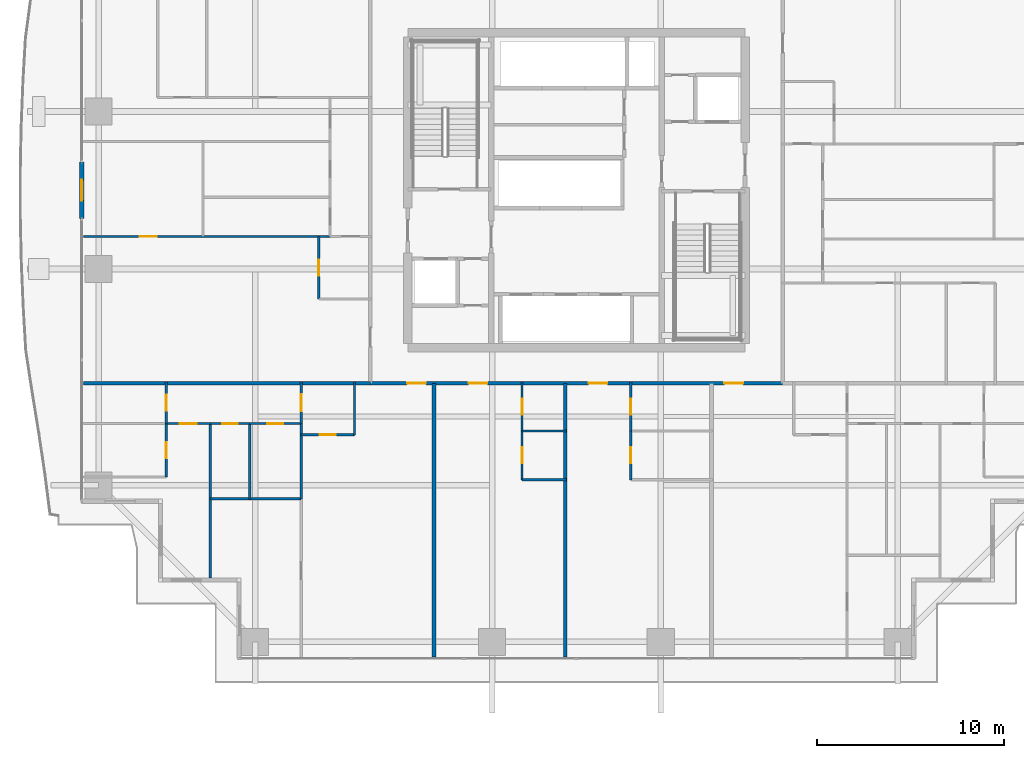
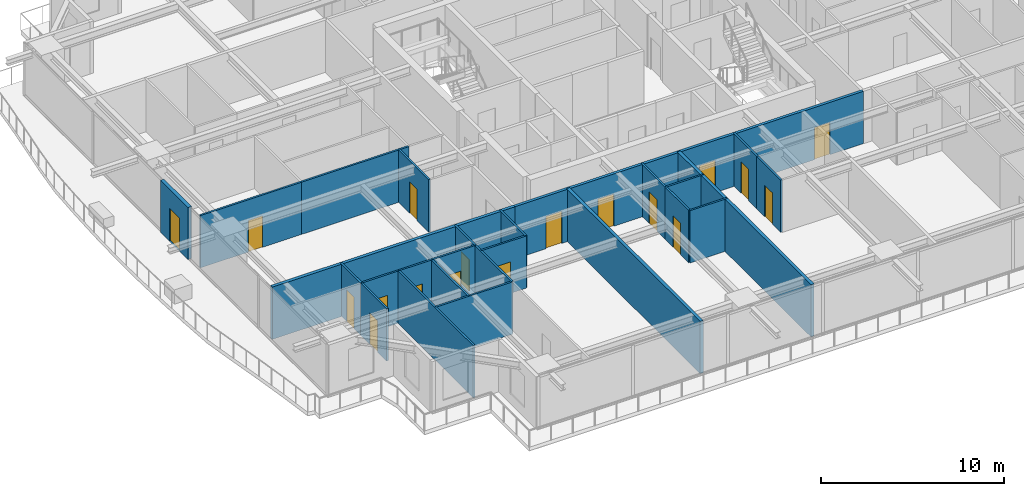
# One storey, part 23 of 35: 26 walls, 18 doors, 18 openings.
"""IFC4 building model written with IfcOpenShell, lengths in metres."""

from ifc_helpers import new_model, si_unit, direction, frame, frame_2d, origin, place, context, subcontext, project, spatial, rectangle, extrude, source, transform, mapped, material, layer, layer_set, type_object, element, fill, save


model = new_model("IFC4")

# Units and contexts
model_context = context("Model", 3, precision=1e-05, world=origin(), true_north=direction((0.0, 1.0)))
body_context = subcontext(model_context, "Body", "Model", "MODEL_VIEW")
ifc_project = project(units=[si_unit("LENGTHUNIT", "METRE"), si_unit("AREAUNIT", "SQUARE_METRE"), si_unit("VOLUMEUNIT", "CUBIC_METRE"), si_unit("PLANEANGLEUNIT", "RADIAN"), si_unit("MASSUNIT", "GRAM", prefix="KILO")], contexts=[model_context])

# Site, building, storey
site_placement = place(None, origin())
site = spatial("IfcSite", under=ifc_project, at=site_placement, CompositionType="ELEMENT")
building_placement = place(site_placement, origin())
building = spatial("IfcBuilding", under=site, at=building_placement, Name="Serunith Strait Residences", CompositionType="ELEMENT")
storey_placement = place(building_placement, frame((0.0, 0.0, 56.699951171875)))
storey = spatial("IfcBuildingStorey", under=building, at=storey_placement, Name="L13", CompositionType="ELEMENT", Elevation=56.699951171875)

# Wall, opening, door
ifc_material_1 = material(Name="Pale-Champagne Aluminium Insulated Panel", Category="aluminium")
ifc_layer_1 = layer(ifc_material_1, 0.219970703125, Name="Pale-Champagne Aluminium Insulated Panel")
ifc_layer_set_1 = layer_set([ifc_layer_1], Name="Pale-Champagne Aluminium Insulated Panel")
wall_type_1 = type_object("IfcWallType", Name="EW-ALUM-220", PredefinedType="ELEMENTEDWALL", material=ifc_layer_set_1)
wall_1_placement = place(storey_placement, frame((6.0, 26.699951171875, 0.0), z_axis=(0.0, 0.0, 1.0), x_axis=(0.0, -1.0, 0.0)))
wall_1 = element("IfcWall", 1, at=wall_1_placement, inside=storey, type_object=wall_type_1, Name="L13 W Facade Pier Wall", PredefinedType="ELEMENTEDWALL", context=body_context, shape_type="SweptSolid", body=[
    extrude(rectangle(XDim=3.0, YDim=0.219970703125, at=frame_2d((1.5, 0.0))), origin(), (0.0, 0.0, 1.0), 3.47509765625),
])
opening_1_placement = place(wall_1_placement, frame((0.949951171875, 0.0, 0.0)))
opening_1 = element("IfcOpeningElement", 2, at=opening_1_placement, cuts=wall_1, Name="Opening ED-03", PredefinedType="OPENING", context=body_context, shape_type="SweptSolid", body=[
    extrude(rectangle(XDim=1.10009765625, YDim=2.199951171875, at=frame_2d((0.550048828125, 1.10009765625))), frame((0.0, 0.1201171875, 0.0), z_axis=(0.0, -1.0, 0.0), x_axis=(1.0, 0.0, 0.0)), (0.0, 0.0, 1.0), 0.239990234375),
])
ifc_material_2 = material(Name="Thermally-Broken Aluminium Glazed Balcony Door", Category="aluminium")
door_type_1 = type_object("IfcDoorType", Name="ED-BALC-1100", OperationType="NOTDEFINED", PredefinedType="DOOR", material=ifc_material_2)
shared_shape_1 = source(origin(), body_context, "Body", "SweptSolid", [
    extrude(rectangle(XDim=1.10009765625, YDim=2.199951171875, at=frame_2d((0.550048828125, 1.10009765625))), frame((0.0, 0.02490234375, 0.0), z_axis=(0.0, -1.0, 0.0), x_axis=(1.0, 0.0, 0.0)), (0.0, 0.0, 1.0), 0.050048828125),
])
door_1_placement = place(opening_1_placement, origin())
door_1 = element("IfcDoor", 3, at=door_1_placement, inside=storey, type_object=door_type_1, Name="L13 W Vertical-Forest Balcony Door", OperationType="SINGLE_SWING_LEFT", OverallHeight=2.199951171875, OverallWidth=1.10009765625, PredefinedType="DOOR", context=body_context, shape_type="MappedRepresentation", body=[
    mapped(shared_shape_1, transform((0.0, 0.0, 0.0), scale=1.0)),
])
fill(opening_1, door_1)

# Wall, openings, doors
ifc_material_3 = material(Name="Fire-rated acoustic gypsum partition")
ifc_layer_2 = layer(ifc_material_3, 0.179931640625, Name="Fire-rated acoustic gypsum partition")
ifc_layer_set_2 = layer_set([ifc_layer_2], Name="Fire-rated acoustic gypsum partition")
wall_type_2 = type_object("IfcWallType", Name="IW-CORR-180", PredefinedType="PARTITIONING", material=ifc_layer_set_2)
wall_2_placement = place(storey_placement, frame((21.402099609375, 14.89990234375, 0.0), z_axis=(0.0, 0.0, 1.0), x_axis=(1.0, 0.0, 0.0)))
wall_2 = element("IfcWall", 4, at=wall_2_placement, inside=storey, type_object=wall_type_2, Name="L13 Partition Wall 024", PredefinedType="PARTITIONING", context=body_context, shape_type="SweptSolid", body=[
    extrude(rectangle(XDim=21.995849609375, YDim=0.179931640625, at=frame_2d((10.998046875, 0.0))), origin(), (0.0, 0.0, 1.0), 3.489990234375),
])
opening_2_placement = place(wall_2_placement, frame((1.9599609375, 0.0, 0.0)))
opening_2 = element("IfcOpeningElement", 5, at=opening_2_placement, cuts=wall_2, Name="Opening D-APT1000", PredefinedType="OPENING", context=body_context, shape_type="SweptSolid", body=[
    extrude(rectangle(XDim=1.0, YDim=2.14990234375, at=frame_2d((0.5, 1.074951171875))), frame((0.0, 0.10009765625, 0.0), z_axis=(0.0, -1.0, 0.0), x_axis=(1.0, 0.0, 0.0)), (0.0, 0.0, 1.0), 0.199951171875),
])
opening_3_placement = place(wall_2_placement, frame((5.2490234375, 0.0, 0.0)))
opening_3 = element("IfcOpeningElement", 6, at=opening_3_placement, cuts=wall_2, Name="Opening D-APT1000", PredefinedType="OPENING", context=body_context, shape_type="SweptSolid", body=[
    extrude(rectangle(XDim=1.0, YDim=2.14990234375, at=frame_2d((0.5, 1.074951171875))), frame((0.0, 0.10009765625, 0.0), z_axis=(0.0, -1.0, 0.0), x_axis=(1.0, 0.0, 0.0)), (0.0, 0.0, 1.0), 0.199951171875),
])
opening_4_placement = place(wall_2_placement, frame((11.653076171875, 0.0, 0.0)))
opening_4 = element("IfcOpeningElement", 7, at=opening_4_placement, cuts=wall_2, Name="Opening D-APT1000", PredefinedType="OPENING", context=body_context, shape_type="SweptSolid", body=[
    extrude(rectangle(XDim=1.0, YDim=2.14990234375, at=frame_2d((0.5, 1.074951171875))), frame((0.0, 0.10009765625, 0.0), z_axis=(0.0, -1.0, 0.0), x_axis=(1.0, 0.0, 0.0)), (0.0, 0.0, 1.0), 0.199951171875),
])
opening_5_placement = place(wall_2_placement, frame((18.89599609375, 0.0, 0.0)))
opening_5 = element("IfcOpeningElement", 8, at=opening_5_placement, cuts=wall_2, Name="Opening D-APT1000", PredefinedType="OPENING", context=body_context, shape_type="SweptSolid", body=[
    extrude(rectangle(XDim=1.0, YDim=2.14990234375, at=frame_2d((0.5, 1.074951171875))), frame((0.0, 0.10009765625, 0.0), z_axis=(0.0, -1.0, 0.0), x_axis=(1.0, 0.0, 0.0)), (0.0, 0.0, 1.0), 0.199951171875),
])
ifc_material_4 = material(Name="Solid timber engineered fire door", Category="wood")
door_type_2 = type_object("IfcDoorType", Name="ID-APT-1000", OperationType="NOTDEFINED", PredefinedType="DOOR", material=ifc_material_4)
shared_shape_2 = source(origin(), body_context, "Body", "SweptSolid", [
    extrude(rectangle(XDim=1.0, YDim=2.14990234375, at=frame_2d((0.5, 1.074951171875))), frame((0.0, 0.02490234375, 0.0), z_axis=(0.0, -1.0, 0.0), x_axis=(1.0, 0.0, 0.0)), (0.0, 0.0, 1.0), 0.050048828125),
])
door_2_placement = place(opening_2_placement, origin())
door_2 = element("IfcDoor", 9, at=door_2_placement, inside=storey, type_object=door_type_2, Name="L13 Unit 01 Entrance Door", OperationType="SINGLE_SWING_LEFT", OverallHeight=2.14990234375, OverallWidth=1.0, PredefinedType="DOOR", context=body_context, shape_type="MappedRepresentation", body=[
    mapped(shared_shape_2, transform((0.0, 0.0, 0.0), scale=1.0)),
])
fill(opening_2, door_2)
door_3_placement = place(opening_3_placement, origin())
door_3 = element("IfcDoor", 10, at=door_3_placement, inside=storey, type_object=door_type_2, Name="L13 Unit 02 Entrance Door", OperationType="SINGLE_SWING_RIGHT", OverallHeight=2.14990234375, OverallWidth=1.0, PredefinedType="DOOR", context=body_context, shape_type="MappedRepresentation", body=[
    mapped(shared_shape_2, transform((0.0, 0.0, 0.0), scale=1.0)),
])
fill(opening_3, door_3)
door_4_placement = place(opening_4_placement, origin())
door_4 = element("IfcDoor", 11, at=door_4_placement, inside=storey, type_object=door_type_2, Name="L13 Unit 03 Entrance Door", OperationType="SINGLE_SWING_LEFT", OverallHeight=2.14990234375, OverallWidth=1.0, PredefinedType="DOOR", context=body_context, shape_type="MappedRepresentation", body=[
    mapped(shared_shape_2, transform((0.0, 0.0, 0.0), scale=1.0)),
])
fill(opening_4, door_4)
door_5_placement = place(opening_5_placement, origin())
door_5 = element("IfcDoor", 12, at=door_5_placement, inside=storey, type_object=door_type_2, Name="L13 Unit 04 Entrance Door", OperationType="SINGLE_SWING_RIGHT", OverallHeight=2.14990234375, OverallWidth=1.0, PredefinedType="DOOR", context=body_context, shape_type="MappedRepresentation", body=[
    mapped(shared_shape_2, transform((0.0, 0.0, 0.0), scale=1.0)),
])
fill(opening_5, door_5)

# Wall, opening, door
ifc_material_5 = material(Name="Lightweight steel-stud gypsum partition", Category="steel")
ifc_layer_3 = layer(ifc_material_5, 0.1201171875, Name="Lightweight steel-stud gypsum partition")
ifc_layer_set_3 = layer_set([ifc_layer_3], Name="Lightweight steel-stud gypsum partition")
wall_type_3 = type_object("IfcWallType", Name="IW-PART-120", PredefinedType="PARTITIONING", material=ifc_layer_set_3)
wall_3_placement = place(storey_placement, frame((17.7099609375, 12.14990234375, 0.0), z_axis=(0.0, 0.0, 1.0), x_axis=(1.0, 0.0, 0.0)))
wall_3 = element("IfcWall", 13, at=wall_3_placement, inside=storey, type_object=wall_type_3, Name="L13 Partition Wall 028", PredefinedType="PARTITIONING", context=body_context, shape_type="SweptSolid", body=[
    extrude(rectangle(XDim=2.85009765625, YDim=0.1201171875, at=frame_2d((1.425048828125, 0.0))), origin(), (0.0, 0.0, 1.0), 3.489990234375),
])
opening_6_placement = place(wall_3_placement, frame((1.0, 0.0, 0.0)))
opening_6 = element("IfcOpeningElement", 14, at=opening_6_placement, cuts=wall_3, Name="Opening D-RM850", PredefinedType="OPENING", context=body_context, shape_type="SweptSolid", body=[
    extrude(rectangle(XDim=0.85009765625, YDim=2.10009765625, at=frame_2d((0.425048828125, 1.050048828125))), frame((0.0, 0.070068359375, 0.0), z_axis=(0.0, -1.0, 0.0), x_axis=(1.0, 0.0, 0.0)), (0.0, 0.0, 1.0), 0.14013671875),
])
ifc_material_6 = material(Name="Engineered timber flush study and kitchen door", Category="wood")
door_type_3 = type_object("IfcDoorType", Name="ID-ROOM-850", OperationType="NOTDEFINED", PredefinedType="DOOR", material=ifc_material_6)
shared_shape_3 = source(origin(), body_context, "Body", "SweptSolid", [
    extrude(rectangle(XDim=0.85009765625, YDim=2.10009765625, at=frame_2d((0.425048828125, 1.050048828125))), frame((0.0, 0.02490234375, 0.0), z_axis=(0.0, -1.0, 0.0), x_axis=(1.0, 0.0, 0.0)), (0.0, 0.0, 1.0), 0.050048828125),
])
door_6_placement = place(opening_6_placement, origin())
door_6 = element("IfcDoor", 15, at=door_6_placement, inside=storey, type_object=door_type_3, Name="L13 Kitchen 1301 Door", OperationType="SINGLE_SWING_RIGHT", OverallHeight=2.10009765625, OverallWidth=0.85009765625, PredefinedType="DOOR", context=body_context, shape_type="MappedRepresentation", body=[
    mapped(shared_shape_3, transform((0.0, 0.0, 0.0), scale=1.0)),
])
fill(opening_6, door_6)

# Wall
wall_4_placement = place(storey_placement, frame((20.56005859375, 12.14990234375, 0.0), z_axis=(0.0, 0.0, 1.0), x_axis=(0.0, 1.0, 0.0)))
element("IfcWall", 16, at=wall_4_placement, inside=storey, type_object=wall_type_3, Name="L13 Partition Wall 029", PredefinedType="PARTITIONING", context=body_context, shape_type="SweptSolid", body=[
    extrude(rectangle(XDim=2.81005859375, YDim=0.1201171875, at=frame_2d((1.405029296875, 0.0))), origin(), (0.0, 0.0, 1.0), 3.489990234375),
])

# Wall, opening, door
wall_5_placement = place(storey_placement, frame((17.7099609375, 12.75, 0.0), z_axis=(0.0, 0.0, 1.0), x_axis=(0.0, 1.0, 0.0)))
wall_5 = element("IfcWall", 17, at=wall_5_placement, inside=storey, type_object=wall_type_3, Name="L13 Partition Wall 030", PredefinedType="PARTITIONING", context=body_context, shape_type="SweptSolid", body=[
    extrude(rectangle(XDim=2.2099609375, YDim=0.1201171875, at=frame_2d((1.10498046875, 0.0))), origin(), (0.0, 0.0, 1.0), 3.489990234375),
])
opening_7_placement = place(wall_5_placement, frame((0.655029296875, 0.0, 0.0)))
opening_7 = element("IfcOpeningElement", 18, at=opening_7_placement, cuts=wall_5, Name="Opening D-RM900", PredefinedType="OPENING", context=body_context, shape_type="SweptSolid", body=[
    extrude(rectangle(XDim=0.89990234375, YDim=2.10009765625, at=frame_2d((0.449951171875, 1.050048828125))), frame((0.0, 0.070068359375, 0.0), z_axis=(0.0, -1.0, 0.0), x_axis=(1.0, 0.0, 0.0)), (0.0, 0.0, 1.0), 0.14013671875),
])
ifc_material_7 = material(Name="Engineered timber flush bedroom door", Category="wood")
door_type_4 = type_object("IfcDoorType", Name="ID-ROOM-900", OperationType="NOTDEFINED", PredefinedType="DOOR", material=ifc_material_7)
shared_shape_4 = source(origin(), body_context, "Body", "SweptSolid", [
    extrude(rectangle(XDim=0.89990234375, YDim=2.10009765625, at=frame_2d((0.449951171875, 1.050048828125))), frame((0.0, 0.02490234375, 0.0), z_axis=(0.0, -1.0, 0.0), x_axis=(1.0, 0.0, 0.0)), (0.0, 0.0, 1.0), 0.050048828125),
])
door_7_placement = place(opening_7_placement, origin())
door_7 = element("IfcDoor", 19, at=door_7_placement, inside=storey, type_object=door_type_4, Name="L13 Hall W 1301 Door", OperationType="SINGLE_SWING_LEFT", OverallHeight=2.10009765625, OverallWidth=0.89990234375, PredefinedType="DOOR", context=body_context, shape_type="MappedRepresentation", body=[
    mapped(shared_shape_4, transform((0.0, 0.0, 0.0), scale=1.0)),
])
fill(opening_7, door_7)

# Walls
wall_6_placement = place(storey_placement, frame((17.7099609375, 8.735107421875, 0.0), z_axis=(0.0, 0.0, 1.0), x_axis=(0.0, 1.0, 0.0)))
element("IfcWall", 20, at=wall_6_placement, inside=storey, type_object=wall_type_3, Name="L13 Partition Wall 032", PredefinedType="PARTITIONING", context=body_context, shape_type="SweptSolid", body=[
    extrude(rectangle(XDim=4.012939453125, YDim=0.1201171875, at=frame_2d((2.00634765625, 0.0))), origin(), (0.0, 0.0, 1.0), 3.489990234375),
])
wall_7_placement = place(storey_placement, frame((12.860107421875, 8.73291015625, 0.0), z_axis=(0.0, 0.0, 1.0), x_axis=(1.0, 0.0, 0.0)))
element("IfcWall", 21, at=wall_7_placement, inside=storey, type_object=wall_type_3, Name="L13 Partition Wall 033", PredefinedType="PARTITIONING", context=body_context, shape_type="SweptSolid", body=[
    extrude(rectangle(XDim=4.849853515625, YDim=0.1201171875, at=frame_2d((2.4248046875, 0.0))), origin(), (0.0, 0.0, 1.0), 3.489990234375),
])
wall_8_placement = place(storey_placement, frame((12.860107421875, 4.4951171875, 0.0), z_axis=(0.0, 0.0, 1.0), x_axis=(0.0, 1.0, 0.0)))
element("IfcWall", 22, at=wall_8_placement, inside=storey, type_object=wall_type_3, Name="L13 Partition Wall 034", PredefinedType="PARTITIONING", context=body_context, shape_type="SweptSolid", body=[
    extrude(rectangle(XDim=8.2548828125, YDim=0.1201171875, at=frame_2d((4.12744140625, 0.0))), origin(), (0.0, 0.0, 1.0), 3.489990234375),
])
wall_9_placement = place(storey_placement, frame((14.9599609375, 8.73291015625, 0.0), z_axis=(0.0, 0.0, 1.0), x_axis=(0.0, 1.0, 0.0)))
element("IfcWall", 23, at=wall_9_placement, inside=storey, type_object=wall_type_3, Name="L13 Partition Wall 035", PredefinedType="PARTITIONING", context=body_context, shape_type="SweptSolid", body=[
    extrude(rectangle(XDim=4.01708984375, YDim=0.1201171875, at=frame_2d((2.008544921875, 0.0))), origin(), (0.0, 0.0, 1.0), 3.489990234375),
])

# Wall, opening, door
wall_10_placement = place(storey_placement, frame((12.860107421875, 12.75, 0.0), z_axis=(0.0, 0.0, 1.0), x_axis=(1.0, 0.0, 0.0)))
wall_10 = element("IfcWall", 24, at=wall_10_placement, inside=storey, type_object=wall_type_3, Name="L13 Partition Wall 036", PredefinedType="PARTITIONING", context=body_context, shape_type="SweptSolid", body=[
    extrude(rectangle(XDim=2.099853515625, YDim=0.1201171875, at=frame_2d((1.0498046875, 0.0))), origin(), (0.0, 0.0, 1.0), 3.489990234375),
])
opening_8_placement = place(wall_10_placement, frame((0.625, 0.0, 0.0)))
opening_8 = element("IfcOpeningElement", 25, at=opening_8_placement, cuts=wall_10, Name="Opening D-BTH850", PredefinedType="OPENING", context=body_context, shape_type="SweptSolid", body=[
    extrude(rectangle(XDim=0.85009765625, YDim=2.10009765625, at=frame_2d((0.425048828125, 1.050048828125))), frame((0.0, 0.070068359375, 0.0), z_axis=(0.0, -1.0, 0.0), x_axis=(1.0, 0.0, 0.0)), (0.0, 0.0, 1.0), 0.14013671875),
])
ifc_material_8 = material(Name="Moisture-resistant timber bathroom door", Category="wood")
door_type_5 = type_object("IfcDoorType", Name="ID-BATH-850", OperationType="NOTDEFINED", PredefinedType="DOOR", material=ifc_material_8)
door_8_placement = place(opening_8_placement, origin())
door_8 = element("IfcDoor", 26, at=door_8_placement, inside=storey, type_object=door_type_5, Name="L13 Bathroom 1301 Door", OperationType="SINGLE_SWING_LEFT", OverallHeight=2.10009765625, OverallWidth=0.85009765625, PredefinedType="DOOR", context=body_context, shape_type="MappedRepresentation", body=[
    mapped(shared_shape_3, transform((0.0, 0.0, 0.0), scale=1.0)),
])
fill(opening_8, door_8)

wall_11_placement = place(storey_placement, frame((14.9619140625, 12.75, 0.0), z_axis=(0.0, 0.0, 1.0), x_axis=(1.0, 0.0, 0.0)))
wall_11 = element("IfcWall", 27, at=wall_11_placement, inside=storey, type_object=wall_type_3, Name="L13 Partition Wall 037", PredefinedType="PARTITIONING", context=body_context, shape_type="SweptSolid", body=[
    extrude(rectangle(XDim=2.748046875, YDim=0.1201171875, at=frame_2d((1.3740234375, 0.0))), origin(), (0.0, 0.0, 1.0), 3.489990234375),
])
opening_9_placement = place(wall_11_placement, frame((0.948974609375, 0.0, 0.0)))
opening_9 = element("IfcOpeningElement", 28, at=opening_9_placement, cuts=wall_11, Name="Opening D-RM850", PredefinedType="OPENING", context=body_context, shape_type="SweptSolid", body=[
    extrude(rectangle(XDim=0.85009765625, YDim=2.10009765625, at=frame_2d((0.425048828125, 1.050048828125))), frame((0.0, 0.070068359375, 0.0), z_axis=(0.0, -1.0, 0.0), x_axis=(1.0, 0.0, 0.0)), (0.0, 0.0, 1.0), 0.14013671875),
])
door_9_placement = place(opening_9_placement, origin())
door_9 = element("IfcDoor", 29, at=door_9_placement, inside=storey, type_object=door_type_3, Name="L13 Formal Dining Room 1301 Door", OperationType="SINGLE_SWING_RIGHT", OverallHeight=2.10009765625, OverallWidth=0.85009765625, PredefinedType="DOOR", context=body_context, shape_type="MappedRepresentation", body=[
    mapped(shared_shape_3, transform((0.0, 0.0, 0.0), scale=1.0)),
])
fill(opening_9, door_9)

wall_12_placement = place(storey_placement, frame((10.510009765625, 12.75, 0.0), z_axis=(0.0, 0.0, 1.0), x_axis=(1.0, 0.0, 0.0)))
wall_12 = element("IfcWall", 30, at=wall_12_placement, inside=storey, type_object=wall_type_3, Name="L13 Partition Wall 038", PredefinedType="PARTITIONING", context=body_context, shape_type="SweptSolid", body=[
    extrude(rectangle(XDim=2.347900390625, YDim=0.1201171875, at=frame_2d((1.173828125, 0.0))), origin(), (0.0, 0.0, 1.0), 3.489990234375),
])
opening_10_placement = place(wall_12_placement, frame((0.72412109375, 0.0, 0.0)))
opening_10 = element("IfcOpeningElement", 31, at=opening_10_placement, cuts=wall_12, Name="Opening D-RM900", PredefinedType="OPENING", context=body_context, shape_type="SweptSolid", body=[
    extrude(rectangle(XDim=0.89990234375, YDim=2.10009765625, at=frame_2d((0.449951171875, 1.050048828125))), frame((0.0, 0.070068359375, 0.0), z_axis=(0.0, -1.0, 0.0), x_axis=(1.0, 0.0, 0.0)), (0.0, 0.0, 1.0), 0.14013671875),
])
door_10_placement = place(opening_10_placement, origin())
door_10 = element("IfcDoor", 32, at=door_10_placement, inside=storey, type_object=door_type_4, Name="L13 Master Bedroom W 1301 Door", OperationType="SINGLE_SWING_LEFT", OverallHeight=2.10009765625, OverallWidth=0.89990234375, PredefinedType="DOOR", context=body_context, shape_type="MappedRepresentation", body=[
    mapped(shared_shape_4, transform((0.0, 0.0, 0.0), scale=1.0)),
])
fill(opening_10, door_10)

wall_13_placement = place(storey_placement, frame((10.510009765625, 9.89404296875, 0.0), z_axis=(0.0, 0.0, 1.0), x_axis=(0.0, 1.0, 0.0)))
wall_13 = element("IfcWall", 33, at=wall_13_placement, inside=storey, type_object=wall_type_3, Name="L13 Partition Wall 041", PredefinedType="PARTITIONING", context=body_context, shape_type="SweptSolid", body=[
    extrude(rectangle(XDim=2.85595703125, YDim=0.1201171875, at=frame_2d((1.427978515625, 0.0))), origin(), (0.0, 0.0, 1.0), 3.489990234375),
])
opening_11_placement = place(wall_13_placement, frame((1.0029296875, 0.0, 0.0)))
opening_11 = element("IfcOpeningElement", 34, at=opening_11_placement, cuts=wall_13, Name="Opening D-BTH850", PredefinedType="OPENING", context=body_context, shape_type="SweptSolid", body=[
    extrude(rectangle(XDim=0.85009765625, YDim=2.10009765625, at=frame_2d((0.425048828125, 1.050048828125))), frame((0.0, 0.070068359375, 0.0), z_axis=(0.0, -1.0, 0.0), x_axis=(1.0, 0.0, 0.0)), (0.0, 0.0, 1.0), 0.14013671875),
])
door_11_placement = place(opening_11_placement, origin())
door_11 = element("IfcDoor", 35, at=door_11_placement, inside=storey, type_object=door_type_5, Name="L13 En-suite Bathroom W 1301 Door", OperationType="SINGLE_SWING_RIGHT", OverallHeight=2.10009765625, OverallWidth=0.85009765625, PredefinedType="DOOR", context=body_context, shape_type="MappedRepresentation", body=[
    mapped(shared_shape_3, transform((0.0, 0.0, 0.0), scale=1.0)),
])
fill(opening_11, door_11)

wall_14_placement = place(storey_placement, frame((10.510009765625, 12.751953125, 0.0), z_axis=(0.0, 0.0, 1.0), x_axis=(0.0, 1.0, 0.0)))
wall_14 = element("IfcWall", 36, at=wall_14_placement, inside=storey, type_object=wall_type_3, Name="L13 Partition Wall 042", PredefinedType="PARTITIONING", context=body_context, shape_type="SweptSolid", body=[
    extrude(rectangle(XDim=2.2080078125, YDim=0.1201171875, at=frame_2d((1.10400390625, 0.0))), origin(), (0.0, 0.0, 1.0), 3.489990234375),
])
opening_12_placement = place(wall_14_placement, frame((0.678955078125, 0.0, 0.0)))
opening_12 = element("IfcOpeningElement", 37, at=opening_12_placement, cuts=wall_14, Name="Opening D-RM850", PredefinedType="OPENING", context=body_context, shape_type="SweptSolid", body=[
    extrude(rectangle(XDim=0.85009765625, YDim=2.10009765625, at=frame_2d((0.425048828125, 1.050048828125))), frame((0.0, 0.070068359375, 0.0), z_axis=(0.0, -1.0, 0.0), x_axis=(1.0, 0.0, 0.0)), (0.0, 0.0, 1.0), 0.14013671875),
])
door_12_placement = place(opening_12_placement, origin())
door_12 = element("IfcDoor", 38, at=door_12_placement, inside=storey, type_object=door_type_3, Name="L13 Wardrobe W 1301 Door", OperationType="SINGLE_SWING_LEFT", OverallHeight=2.10009765625, OverallWidth=0.85009765625, PredefinedType="DOOR", context=body_context, shape_type="MappedRepresentation", body=[
    mapped(shared_shape_3, transform((0.0, 0.0, 0.0), scale=1.0)),
])
fill(opening_12, door_12)

wall_15_placement = place(storey_placement, frame((29.5, 9.75, 0.0), z_axis=(0.0, 0.0, 1.0), x_axis=(0.0, 1.0, 0.0)))
wall_15 = element("IfcWall", 39, at=wall_15_placement, inside=storey, type_object=wall_type_3, Name="L13 Partition Wall 043", PredefinedType="PARTITIONING", context=body_context, shape_type="SweptSolid", body=[
    extrude(rectangle(XDim=2.60009765625, YDim=0.1201171875, at=frame_2d((1.300048828125, 0.0))), origin(), (0.0, 0.0, 1.0), 3.489990234375),
])
opening_13_placement = place(wall_15_placement, frame((0.875, 0.0, 0.0)))
opening_13 = element("IfcOpeningElement", 40, at=opening_13_placement, cuts=wall_15, Name="Opening D-RM850", PredefinedType="OPENING", context=body_context, shape_type="SweptSolid", body=[
    extrude(rectangle(XDim=0.85009765625, YDim=2.10009765625, at=frame_2d((0.425048828125, 1.050048828125))), frame((0.0, 0.070068359375, 0.0), z_axis=(0.0, -1.0, 0.0), x_axis=(1.0, 0.0, 0.0)), (0.0, 0.0, 1.0), 0.14013671875),
])
door_13_placement = place(opening_13_placement, origin())
door_13 = element("IfcDoor", 41, at=door_13_placement, inside=storey, type_object=door_type_3, Name="L13 Kitchen 1302 Door", OperationType="SINGLE_SWING_RIGHT", OverallHeight=2.10009765625, OverallWidth=0.85009765625, PredefinedType="DOOR", context=body_context, shape_type="MappedRepresentation", body=[
    mapped(shared_shape_3, transform((0.0, 0.0, 0.0), scale=1.0)),
])
fill(opening_13, door_13)

wall_16_placement = place(storey_placement, frame((29.5, 12.35205078125, 0.0), z_axis=(0.0, 0.0, 1.0), x_axis=(0.0, 1.0, 0.0)))
wall_16 = element("IfcWall", 42, at=wall_16_placement, inside=storey, type_object=wall_type_3, Name="L13 Partition Wall 044", PredefinedType="PARTITIONING", context=body_context, shape_type="SweptSolid", body=[
    extrude(rectangle(XDim=2.60791015625, YDim=0.1201171875, at=frame_2d((1.303955078125, 0.0))), origin(), (0.0, 0.0, 1.0), 3.489990234375),
])
opening_14_placement = place(wall_16_placement, frame((0.87890625, 0.0, 0.0)))
opening_14 = element("IfcOpeningElement", 43, at=opening_14_placement, cuts=wall_16, Name="Opening D-BTH850", PredefinedType="OPENING", context=body_context, shape_type="SweptSolid", body=[
    extrude(rectangle(XDim=0.85009765625, YDim=2.10009765625, at=frame_2d((0.425048828125, 1.050048828125))), frame((0.0, 0.070068359375, 0.0), z_axis=(0.0, -1.0, 0.0), x_axis=(1.0, 0.0, 0.0)), (0.0, 0.0, 1.0), 0.14013671875),
])
door_14_placement = place(opening_14_placement, origin())
door_14 = element("IfcDoor", 44, at=door_14_placement, inside=storey, type_object=door_type_5, Name="L13 Bathroom 1302 Door", OperationType="SINGLE_SWING_LEFT", OverallHeight=2.10009765625, OverallWidth=0.85009765625, PredefinedType="DOOR", context=body_context, shape_type="MappedRepresentation", body=[
    mapped(shared_shape_3, transform((0.0, 0.0, 0.0), scale=1.0)),
])
fill(opening_14, door_14)

# Walls
for number, where, z_axis, x_axis, name in (
    (45, (29.5, 12.35009765625, 0.0), (0.0, 0.0, 1.0), (1.0, 0.0, 0.0), "L13 Partition Wall 045"),
    (46, (29.5, 9.75, 0.0), (0.0, 0.0, 1.0), (1.0, 0.0, 0.0), "L13 Partition Wall 046"),
):
    element("IfcWall", number, at=place(storey_placement, frame(where, z_axis=z_axis, x_axis=x_axis)), inside=storey, type_object=wall_type_3, Name=name, PredefinedType="PARTITIONING", context=body_context, shape_type="SweptSolid", body=[
        extrude(rectangle(XDim=2.360107421875, YDim=0.1201171875, at=frame_2d((1.18017578125, 0.0))), origin(), (0.0, 0.0, 1.0), 3.489990234375),
    ])

# Wall, opening, door
wall_17_placement = place(storey_placement, frame((35.300048828125, 9.75, 0.0), z_axis=(0.0, 0.0, 1.0), x_axis=(0.0, 1.0, 0.0)))
wall_17 = element("IfcWall", 47, at=wall_17_placement, inside=storey, type_object=wall_type_3, Name="L13 Partition Wall 047", PredefinedType="PARTITIONING", context=body_context, shape_type="SweptSolid", body=[
    extrude(rectangle(XDim=2.60009765625, YDim=0.1201171875, at=frame_2d((1.300048828125, 0.0))), origin(), (0.0, 0.0, 1.0), 3.489990234375),
])
opening_15_placement = place(wall_17_placement, frame((0.875, 0.0, 0.0)))
opening_15 = element("IfcOpeningElement", 48, at=opening_15_placement, cuts=wall_17, Name="Opening D-RM850", PredefinedType="OPENING", context=body_context, shape_type="SweptSolid", body=[
    extrude(rectangle(XDim=0.85009765625, YDim=2.10009765625, at=frame_2d((0.425048828125, 1.050048828125))), frame((0.0, 0.070068359375, 0.0), z_axis=(0.0, -1.0, 0.0), x_axis=(1.0, 0.0, 0.0)), (0.0, 0.0, 1.0), 0.14013671875),
])
door_15_placement = place(opening_15_placement, origin())
door_15 = element("IfcDoor", 49, at=door_15_placement, inside=storey, type_object=door_type_3, Name="L13 Kitchen 1303 Door", OperationType="SINGLE_SWING_RIGHT", OverallHeight=2.10009765625, OverallWidth=0.85009765625, PredefinedType="DOOR", context=body_context, shape_type="MappedRepresentation", body=[
    mapped(shared_shape_3, transform((0.0, 0.0, 0.0), scale=1.0)),
])
fill(opening_15, door_15)

wall_18_placement = place(storey_placement, frame((35.300048828125, 12.35205078125, 0.0), z_axis=(0.0, 0.0, 1.0), x_axis=(0.0, 1.0, 0.0)))
wall_18 = element("IfcWall", 50, at=wall_18_placement, inside=storey, type_object=wall_type_3, Name="L13 Partition Wall 048", PredefinedType="PARTITIONING", context=body_context, shape_type="SweptSolid", body=[
    extrude(rectangle(XDim=2.60791015625, YDim=0.1201171875, at=frame_2d((1.303955078125, 0.0))), origin(), (0.0, 0.0, 1.0), 3.489990234375),
])
opening_16_placement = place(wall_18_placement, frame((0.87890625, 0.0, 0.0)))
opening_16 = element("IfcOpeningElement", 51, at=opening_16_placement, cuts=wall_18, Name="Opening D-BTH850", PredefinedType="OPENING", context=body_context, shape_type="SweptSolid", body=[
    extrude(rectangle(XDim=0.85009765625, YDim=2.10009765625, at=frame_2d((0.425048828125, 1.050048828125))), frame((0.0, 0.070068359375, 0.0), z_axis=(0.0, -1.0, 0.0), x_axis=(1.0, 0.0, 0.0)), (0.0, 0.0, 1.0), 0.14013671875),
])
door_16_placement = place(opening_16_placement, origin())
door_16 = element("IfcDoor", 52, at=door_16_placement, inside=storey, type_object=door_type_5, Name="L13 Bathroom 1303 Door", OperationType="SINGLE_SWING_LEFT", OverallHeight=2.10009765625, OverallWidth=0.85009765625, PredefinedType="DOOR", context=body_context, shape_type="MappedRepresentation", body=[
    mapped(shared_shape_3, transform((0.0, 0.0, 0.0), scale=1.0)),
])
fill(opening_16, door_16)

wall_19_placement = place(storey_placement, frame((18.64990234375, 19.39990234375, 0.0), z_axis=(0.0, 0.0, 1.0), x_axis=(0.0, 1.0, 0.0)))
wall_19 = element("IfcWall", 53, at=wall_19_placement, inside=storey, type_object=wall_type_3, Name="L13 Partition Wall 098", PredefinedType="PARTITIONING", context=body_context, shape_type="SweptSolid", body=[
    extrude(rectangle(XDim=3.330078125, YDim=0.1201171875, at=frame_2d((1.6650390625, 0.0))), origin(), (0.0, 0.0, 1.0), 3.489990234375),
])
opening_17_placement = place(wall_19_placement, frame((1.239990234375, 0.0, 0.0)))
opening_17 = element("IfcOpeningElement", 54, at=opening_17_placement, cuts=wall_19, Name="Opening D-RM850", PredefinedType="OPENING", context=body_context, shape_type="SweptSolid", body=[
    extrude(rectangle(XDim=0.85009765625, YDim=2.10009765625, at=frame_2d((0.425048828125, 1.050048828125))), frame((0.0, 0.070068359375, 0.0), z_axis=(0.0, -1.0, 0.0), x_axis=(1.0, 0.0, 0.0)), (0.0, 0.0, 1.0), 0.14013671875),
])
door_17_placement = place(opening_17_placement, origin())
door_17 = element("IfcDoor", 55, at=door_17_placement, inside=storey, type_object=door_type_3, Name="L13 Kitchen 1306 Door", OperationType="SINGLE_SWING_LEFT", OverallHeight=2.10009765625, OverallWidth=0.85009765625, PredefinedType="DOOR", context=body_context, shape_type="MappedRepresentation", body=[
    mapped(shared_shape_3, transform((0.0, 0.0, 0.0), scale=1.0)),
])
fill(opening_17, door_17)

wall_20_placement = place(storey_placement, frame((6.094970703125, 22.72998046875, 0.0), z_axis=(0.0, 0.0, 1.0), x_axis=(1.0, 0.0, 0.0)))
wall_20 = element("IfcWall", 56, at=wall_20_placement, inside=storey, type_object=wall_type_3, Name="L13 Partition Wall 101", PredefinedType="PARTITIONING", context=body_context, shape_type="SweptSolid", body=[
    extrude(rectangle(XDim=6.3759765625, YDim=0.1201171875, at=frame_2d((3.18798828125, 0.0))), origin(), (0.0, 0.0, 1.0), 3.489990234375),
])
opening_18_placement = place(wall_20_placement, frame((3.011962890625, 0.0, 0.0)))
opening_18 = element("IfcOpeningElement", 57, at=opening_18_placement, cuts=wall_20, Name="Opening D-RM900", PredefinedType="OPENING", context=body_context, shape_type="SweptSolid", body=[
    extrude(rectangle(XDim=0.89990234375, YDim=2.10009765625, at=frame_2d((0.449951171875, 1.050048828125))), frame((0.0, 0.070068359375, 0.0), z_axis=(0.0, -1.0, 0.0), x_axis=(1.0, 0.0, 0.0)), (0.0, 0.0, 1.0), 0.14013671875),
])
door_18_placement = place(opening_18_placement, origin())
door_18 = element("IfcDoor", 58, at=door_18_placement, inside=storey, type_object=door_type_4, Name="L13 Formal Dining Room 1 1306 Door", OperationType="SINGLE_SWING_LEFT", OverallHeight=2.10009765625, OverallWidth=0.89990234375, PredefinedType="DOOR", context=body_context, shape_type="MappedRepresentation", body=[
    mapped(shared_shape_4, transform((0.0, 0.0, 0.0), scale=1.0)),
])
fill(opening_18, door_18)

# Walls
wall_21_placement = place(storey_placement, frame((12.472900390625, 22.72998046875, 0.0), z_axis=(0.0, 0.0, 1.0), x_axis=(1.0, 0.0, 0.0)))
element("IfcWall", 59, at=wall_21_placement, inside=storey, type_object=wall_type_3, Name="L13 Partition Wall 102", PredefinedType="PARTITIONING", context=body_context, shape_type="SweptSolid", body=[
    extrude(rectangle(XDim=6.775146484375, YDim=0.1201171875, at=frame_2d((3.3876953125, 0.0))), origin(), (0.0, 0.0, 1.0), 3.489990234375),
])
ifc_material_9 = material(Name="Twin-stud acoustic gypsum board partition")
ifc_layer_4 = layer(ifc_material_9, 0.199951171875, Name="Twin-stud acoustic gypsum board partition")
ifc_layer_set_4 = layer_set([ifc_layer_4], Name="Twin-stud acoustic gypsum board partition")
wall_type_4 = type_object("IfcWallType", Name="IW-PARTY-200", PredefinedType="PARTITIONING", material=ifc_layer_set_4)
for number, where, z_axis, x_axis, name in (
    (60, (24.800048828125, 0.281982421875, 0.0), (0.0, 0.0, 1.0), (0.0, 1.0, 0.0), "L13 Partition Wall 017"),
    (61, (31.800048828125, 0.281982421875, 0.0), (0.0, 0.0, 1.0), (0.0, 1.0, 0.0), "L13 Partition Wall 018"),
):
    element("IfcWall", number, at=place(storey_placement, frame(where, z_axis=z_axis, x_axis=x_axis)), inside=storey, type_object=wall_type_4, Name=name, PredefinedType="PARTITIONING", context=body_context, shape_type="SweptSolid", body=[
        extrude(rectangle(XDim=14.617919921875, YDim=0.199951171875, at=frame_2d((7.30908203125, 0.0))), origin(), (0.0, 0.0, 1.0), 3.489990234375),
    ])
wall_22_placement = place(storey_placement, frame((6.08203125, 14.89990234375, 0.0), z_axis=(0.0, 0.0, 1.0), x_axis=(1.0, 0.0, 0.0)))
element("IfcWall", 62, at=wall_22_placement, inside=storey, type_object=wall_type_4, Name="L13 Partition Wall 020", PredefinedType="PARTITIONING", context=body_context, shape_type="SweptSolid", body=[
    extrude(rectangle(XDim=15.31787109375, YDim=0.199951171875, at=frame_2d((7.658935546875, 0.0))), origin(), (0.0, 0.0, 1.0), 3.489990234375),
])

save(model, "model.ifc")
